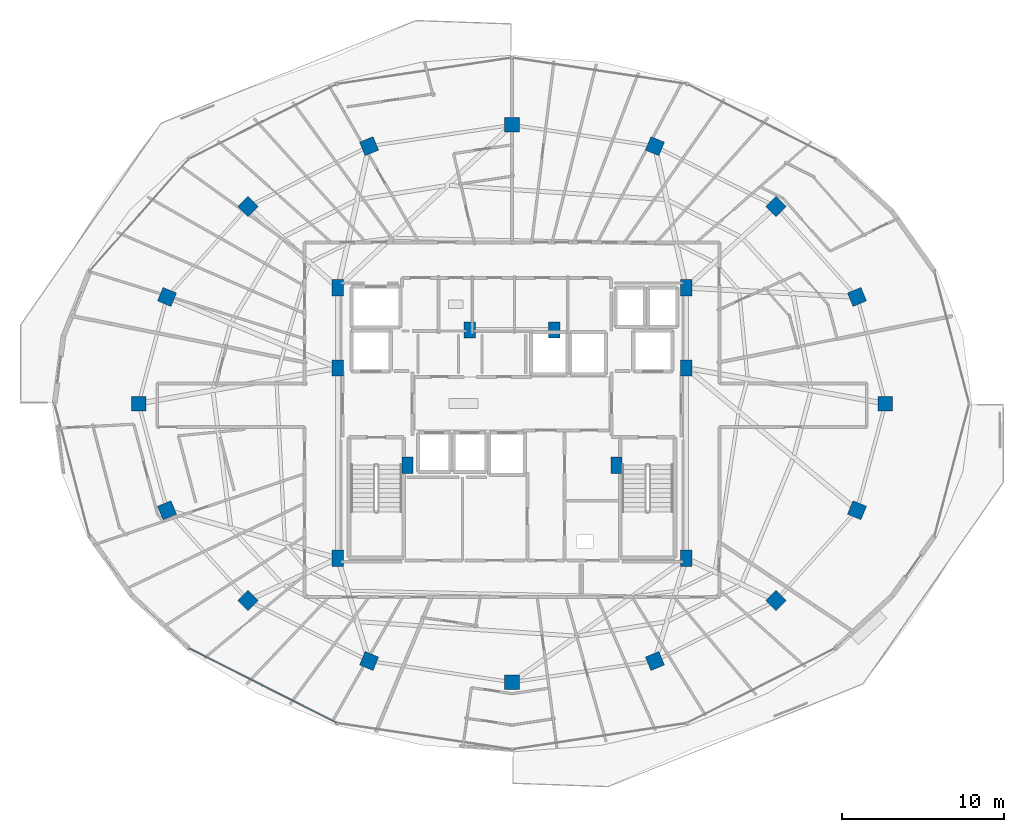
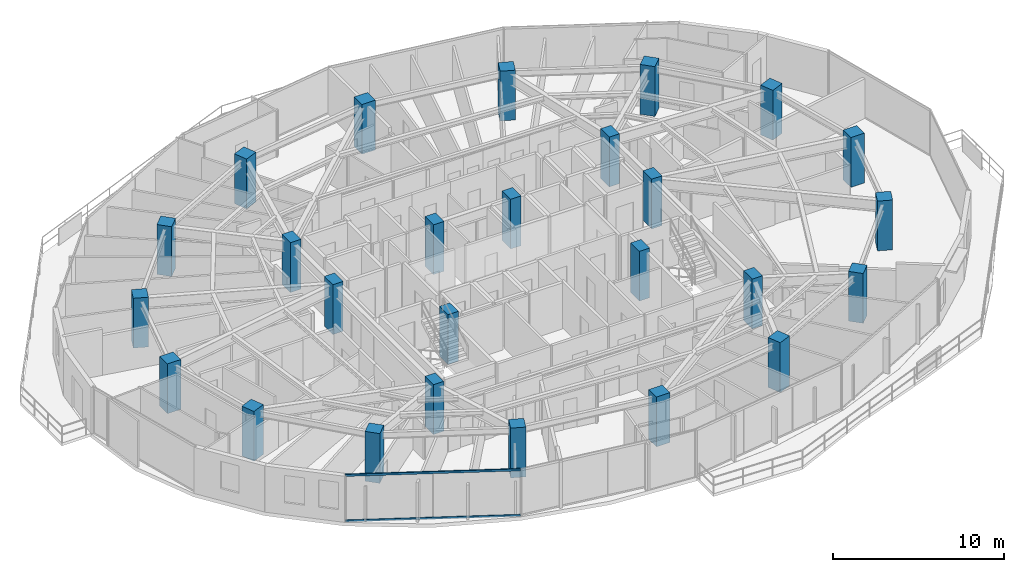
# One storey, part 1 of 34: 26 columns, 2 members, 1 element without a shape of its own.
"""IFC4 building model written with IfcOpenShell, lengths in metres."""

from ifc_helpers import new_model, si_unit, direction, frame, origin, origin_2d, place, context, subcontext, project, spatial, rectangle, hollow_rectangle, extrude, material, material_profile, profile_set, type_object, element, aggregate, save


model = new_model("IFC4")

# Units and contexts
model_context = context("Model", 3, precision=1e-05, world=origin(), true_north=direction((0.0, 1.0)))
body_context = subcontext(model_context, "Body", "Model", "MODEL_VIEW")
ifc_project = project(units=[si_unit("LENGTHUNIT", "METRE"), si_unit("AREAUNIT", "SQUARE_METRE"), si_unit("VOLUMEUNIT", "CUBIC_METRE"), si_unit("PLANEANGLEUNIT", "RADIAN"), si_unit("MASSUNIT", "GRAM", prefix="KILO")], contexts=[model_context])

# Site, building, storey
site_placement = place(None, origin())
site = spatial("IfcSite", under=ifc_project, at=site_placement, CompositionType="ELEMENT")
building_placement = place(site_placement, origin())
building = spatial("IfcBuilding", under=site, at=building_placement, Name="Vorneva Point Tower", CompositionType="ELEMENT")
storey_placement = place(building_placement, frame((0.0, 0.0, 214.300048828125)))
storey = spatial("IfcBuildingStorey", under=building, at=storey_placement, Name="L58", CompositionType="ELEMENT", Elevation=214.300048828125)

# Columns
ifc_material_1 = material(Name="Concrete B50 (C40/50)", Category="concrete")
ifc_material_profile_1 = material_profile(ifc_material_1, rectangle(XDim=0.89990234375, YDim=0.89990234375, at=origin_2d()), Name="RC-COL 900x900")
ifc_profile_set_1 = profile_set([ifc_material_profile_1], Name="Concrete B50 (C40/50)")
column_type_1 = type_object("IfcColumnType", Name="COL-RC900", PredefinedType="COLUMN", material=ifc_profile_set_1)
for number, where, z_axis, x_axis, name in (
    (1, (61.050048828125, 26.0, 0.0), (0.0, 0.0, 1.0), (1.0, 0.0, 0.0), "L58 Perimeter Column P01"),
    (2, (59.29541015625, 32.582275390625, 0.0), (0.0, 0.0, 1.0), (0.923879532511, 0.382683432365, 0.0), "L58 Perimeter Column P02"),
    (3, (54.298828125, 38.162109375, 0.0), (0.0, 0.0, 1.0), (0.707106781187, 0.707106781187, 0.0), "L58 Perimeter Column P03"),
    (4, (46.82080078125, 41.890625, 0.0), (0.0, 0.0, 1.0), (0.382683432365, 0.923879532511, 0.0), "L58 Perimeter Column P04"),
    (5, (38.0, 43.199951171875, 0.0), (0.0, 0.0, 1.0), (0.0, 1.0, 0.0), "L58 Perimeter Column P05"),
    (6, (29.17919921875, 41.890625, 0.0), (0.0, 0.0, 1.0), (-0.382683432365, 0.923879532511, 0.0), "L58 Perimeter Column P06"),
    (7, (21.701171875, 38.162109375, 0.0), (0.0, 0.0, 1.0), (-0.707106781187, 0.707106781187, 0.0), "L58 Perimeter Column P07"),
    (8, (16.70458984375, 32.582275390625, 0.0), (0.0, 0.0, 1.0), (-0.923879532511, 0.382683432365, 0.0), "L58 Perimeter Column P08"),
    (9, (14.949951171875, 26.0, 0.0), (0.0, 0.0, 1.0), (-1.0, 0.0, 0.0), "L58 Perimeter Column P09"),
    (10, (16.70458984375, 19.417724609375, 0.0), (0.0, 0.0, 1.0), (-0.923879532511, -0.382683432365, 0.0), "L58 Perimeter Column P10"),
    (11, (21.701171875, 13.837890625, 0.0), (0.0, 0.0, 1.0), (-0.707106781187, -0.707106781187, 0.0), "L58 Perimeter Column P11"),
    (12, (29.17919921875, 10.109375, 0.0), (0.0, 0.0, 1.0), (-0.382683432365, -0.923879532511, 0.0), "L58 Perimeter Column P12"),
    (13, (38.0, 8.800048828125, 0.0), (0.0, 0.0, 1.0), (0.0, -1.0, 0.0), "L58 Perimeter Column P13"),
    (14, (46.82080078125, 10.109375, 0.0), (0.0, 0.0, 1.0), (0.382683432365, -0.923879532511, 0.0), "L58 Perimeter Column P14"),
    (15, (54.298828125, 13.837890625, 0.0), (0.0, 0.0, 1.0), (0.707106781187, -0.707106781187, 0.0), "L58 Perimeter Column P15"),
    (16, (59.29541015625, 19.417724609375, 0.0), (0.0, 0.0, 1.0), (0.923879532511, -0.382683432365, 0.0), "L58 Perimeter Column P16"),
):
    element("IfcColumn", number, at=place(storey_placement, frame(where, z_axis=z_axis, x_axis=x_axis)), inside=storey, type_object=column_type_1, Name=name, PredefinedType="COLUMN", context=body_context, shape_type="SweptSolid", body=[
        extrude(rectangle(XDim=0.89990234375, YDim=0.89990234375, at=origin_2d()), origin(), (0.0, 0.0, 1.0), 3.550048828125),
    ])
ifc_material_profile_2 = material_profile(ifc_material_1, rectangle(XDim=0.699951171875, YDim=1.0, at=origin_2d()), Name="RC-PIL 1000x700")
ifc_profile_set_2 = profile_set([ifc_material_profile_2], Name="Concrete B50 (C40/50)")
column_type_2 = type_object("IfcColumnType", Name="PIL-RC1000x700", PredefinedType="PILASTER", material=ifc_profile_set_2)
for number, where, z_axis, x_axis, name in (
    (17, (27.25, 16.449951171875, 0.0), (0.0, 0.0, 1.0), (1.0, 0.0, 0.0), "L58 Core Pilaster CP1"),
    (18, (27.25, 28.199951171875, 0.0), (0.0, 0.0, 1.0), (1.0, 0.0, 0.0), "L58 Core Pilaster CP2"),
    (19, (27.25, 33.14990234375, 0.0), (0.0, 0.0, 1.0), (1.0, 0.0, 0.0), "L58 Core Pilaster CP3"),
    (20, (31.550048828125, 22.199951171875, 0.0), (0.0, 0.0, 1.0), (1.0, 0.0, 0.0), "L58 Core Pilaster CP4"),
    (21, (48.75, 33.14990234375, 0.0), (0.0, 0.0, 1.0), (1.0, 0.0, 0.0), "L58 Core Pilaster CP5"),
    (22, (48.75, 28.199951171875, 0.0), (0.0, 0.0, 1.0), (1.0, 0.0, 0.0), "L58 Core Pilaster CP6"),
    (23, (48.75, 16.449951171875, 0.0), (0.0, 0.0, 1.0), (1.0, 0.0, 0.0), "L58 Core Pilaster CP7"),
    (24, (44.449951171875, 22.199951171875, 0.0), (0.0, 0.0, 1.0), (1.0, 0.0, 0.0), "L58 Core Pilaster CP8"),
    (25, (35.39990234375, 30.550048828125, 0.0), (0.0, 0.0, 1.0), (1.0, 0.0, 0.0), "L58 Core Pilaster CP9"),
    (26, (40.60009765625, 30.550048828125, 0.0), (0.0, 0.0, 1.0), (1.0, 0.0, 0.0), "L58 Core Pilaster CP10"),
):
    element("IfcColumn", number, at=place(storey_placement, frame(where, z_axis=z_axis, x_axis=x_axis)), inside=storey, type_object=column_type_2, Name=name, PredefinedType="PILASTER", context=body_context, shape_type="SweptSolid", body=[
        extrude(rectangle(XDim=0.699951171875, YDim=1.0, at=origin_2d()), origin(), (0.0, 0.0, 1.0), 3.550048828125),
    ])

# Curtain wall, members
ifc_material_2 = material(Name="Pale anodised aluminium", Category="aluminium")
curtain_wall_type = type_object("IfcCurtainWallType", Name="CW-RES-SYS", PredefinedType="NOTDEFINED", material=ifc_material_2)
curtain_wall_placement = place(storey_placement, origin())
curtain_wall = element("IfcCurtainWall", 27, at=curtain_wall_placement, inside=storey, type_object=curtain_wall_type, Name="L58 Unitised Curtain Wall CW-L58-R04", PredefinedType="NOTDEFINED")
ifc_material_profile_3 = material_profile(ifc_material_2, hollow_rectangle(XDim=0.074951171875, YDim=0.14990234375, WallThickness=0.00390625, at=origin_2d()), Name="AL-TRN 150x75x4")
ifc_profile_set_3 = profile_set([ifc_material_profile_3], Name="Pale anodised aluminium")
member_type = type_object("IfcMemberType", Name="CW-TRN-150", PredefinedType="USERDEFINED", material=ifc_profile_set_3)
member_1_placement = place(storey_placement, frame((18.038330078125, 10.9033203125, 0.02001953125), z_axis=(0.892510927709, -0.451025768576, 0.0), x_axis=(0.451025768576, 0.892510927709, 0.0)))
member_1 = element("IfcMember", 28, at=member_1_placement, type_object=member_type, Name="CW-L58-R04 Transom 01.1", ObjectType="TRANSOM", PredefinedType="USERDEFINED", context=body_context, shape_type="SweptSolid", body=[
    extrude(hollow_rectangle(XDim=0.074951171875, YDim=0.14990234375, WallThickness=0.00390625, at=origin_2d()), origin(), (0.0, 0.0, 1.0), 10.261474609375),
])
member_2_placement = place(storey_placement, frame((18.038330078125, 10.9033203125, 3.27001953125), z_axis=(0.892510927709, -0.451025768576, 0.0), x_axis=(0.451025768576, 0.892510927709, 0.0)))
member_2 = element("IfcMember", 29, at=member_2_placement, type_object=member_type, Name="CW-L58-R04 Transom 01.2", ObjectType="TRANSOM", PredefinedType="USERDEFINED", context=body_context, shape_type="SweptSolid", body=[
    extrude(hollow_rectangle(XDim=0.074951171875, YDim=0.14990234375, WallThickness=0.00390625, at=origin_2d()), origin(), (0.0, 0.0, 1.0), 10.261474609375),
])
aggregate(curtain_wall, [member_1, member_2])

save(model, "model.ifc")
